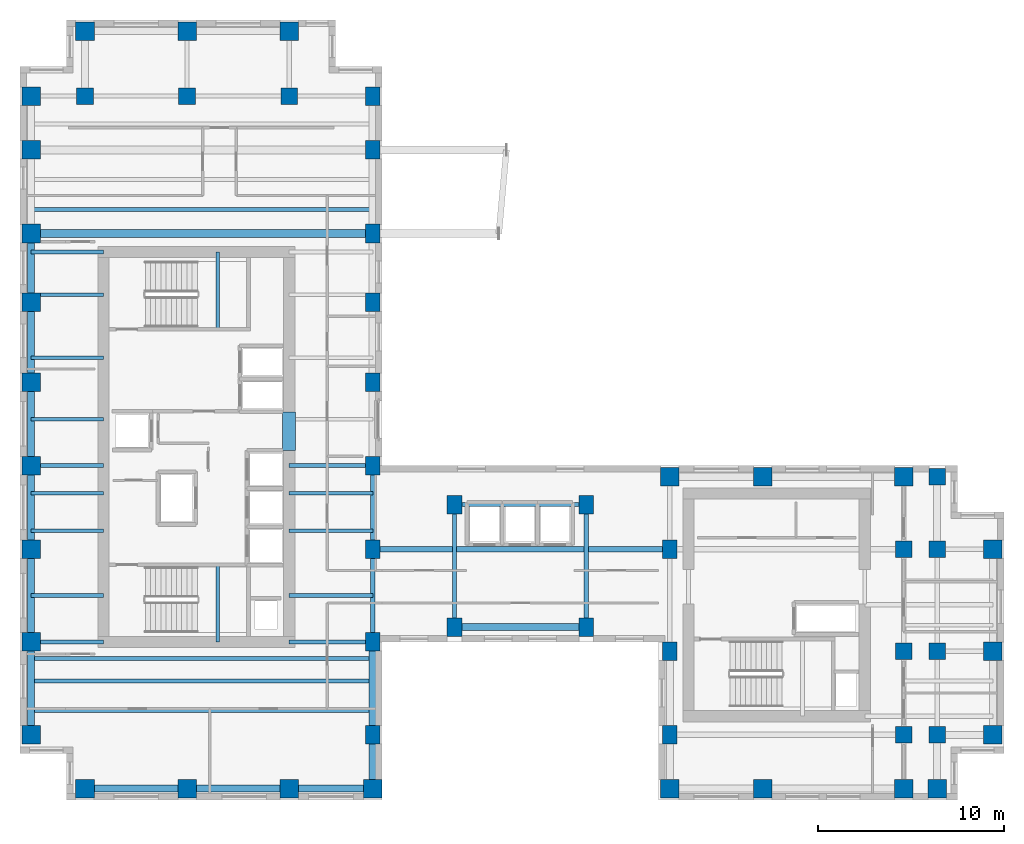
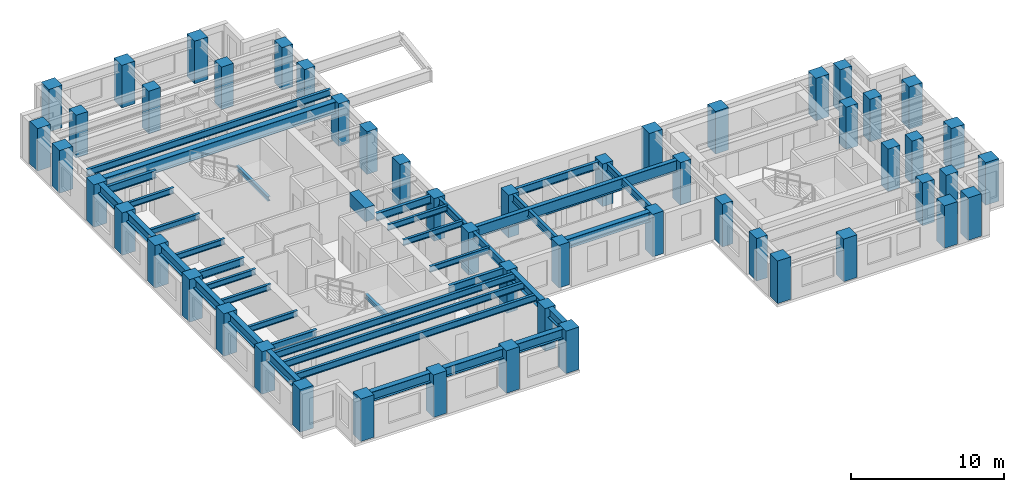
# One storey, part 1 of 13: 52 columns, 40 beams.
"""IFC4 building model written with IfcOpenShell, lengths in metres."""

import ifcopenshell
import ifcopenshell.guid

model = None  # the IFC model being written
_history = None  # IfcOwnerHistory: only IFC2X3 demands one
_inside = {}  # id of a spatial element -> (the spatial element, [elements in it])
_under = {}  # id of a project, library or spatial element -> (it, [spatial elements below it])
_declared = {}  # id of a project -> (the project, [libraries it declares])
_typed = {}  # id of a type object -> (the type object, [elements of that type])
_made_of = {}  # id of a material, layer set ... -> (it, [elements and type objects made of it])


def new_model(schema):
    """Start an empty IFC model of exactly this schema.

    Asked for "IFC4X3", IfcOpenShell would pick the latest addendum, in which some entities
    have other attributes; the version numbers below select the first issue.
    IFC2X3 requires an IfcOwnerHistory on every rooted entity: one is made here for all.
    """
    global model, _history
    if schema == "IFC4X3":
        model = ifcopenshell.file(schema_version=(4, 3, 0, 0))
    else:
        model = ifcopenshell.file(schema=schema)
    _inside.clear()
    _under.clear()
    _declared.clear()
    _typed.clear()
    _made_of.clear()
    _history = None
    if model.schema == "IFC2X3":
        org = make("IfcOrganization", Name="unknown")
        user = make(
            "IfcPersonAndOrganization",
            ThePerson=make("IfcPerson", FamilyName="unknown"),
            TheOrganization=org,
        )
        app = make(
            "IfcApplication",
            ApplicationDeveloper=org,
            Version="unknown",
            ApplicationFullName="unknown",
            ApplicationIdentifier="unknown",
        )
        _history = make(
            "IfcOwnerHistory",
            OwningUser=user,
            OwningApplication=app,
            ChangeAction="ADDED",
            CreationDate=0,
        )
    return model


def make(cls, **values):
    """One entity of the class cls with the attributes given. An attribute that is None is left unset."""
    return model.create_entity(
        cls, **{name: value for name, value in values.items() if value is not None}
    )


def rooted(cls, **values):
    """An entity with a GlobalId (a new one), such as an element, a storey or a relation."""
    return make(cls, GlobalId=ifcopenshell.guid.new(), OwnerHistory=_history, **values)


def si_unit(unit_type, name, prefix=None):
    """IfcSIUnit, for example si_unit("LENGTHUNIT", "METRE", prefix="MILLI")."""
    return make("IfcSIUnit", UnitType=unit_type, Prefix=prefix, Name=name)


def assignment(units):
    """IfcUnitAssignment: the units of a project."""
    return None if units is None else make("IfcUnitAssignment", Units=units)


def point(xyz):
    """IfcCartesianPoint."""
    return None if xyz is None else make("IfcCartesianPoint", Coordinates=xyz)


def direction(xyz):
    """IfcDirection."""
    return None if xyz is None else make("IfcDirection", DirectionRatios=xyz)


def frame(location, z_axis=None, x_axis=None):
    """IfcAxis2Placement3D, a coordinate frame: its origin and axes. An axis left out is left unset."""
    return make(
        "IfcAxis2Placement3D",
        Location=point(location),
        Axis=direction(z_axis),
        RefDirection=direction(x_axis),
    )


def frame_2d(location, x_axis=None):
    """IfcAxis2Placement2D, a coordinate frame in the plane: its origin and x axis."""
    return make(
        "IfcAxis2Placement2D", Location=point(location), RefDirection=direction(x_axis)
    )


def origin():
    """The frame at (0, 0, 0) with its axes left unset."""
    return frame((0.0, 0.0, 0.0))


def origin_2d():
    """The frame at (0, 0) in the plane with its x axis left unset."""
    return frame_2d((0.0, 0.0))


def place(relative_to, where):
    """IfcLocalPlacement: puts the frame where relative to a parent placement (None: the world)."""
    return make(
        "IfcLocalPlacement", PlacementRelTo=relative_to, RelativePlacement=where
    )


def context(
    kind, dimensions, precision=None, world=None, true_north=None, identifier=None
):
    """IfcGeometricRepresentationContext, for example the 3D "Model" context."""
    return make(
        "IfcGeometricRepresentationContext",
        ContextIdentifier=identifier,
        ContextType=kind,
        CoordinateSpaceDimension=dimensions,
        Precision=precision,
        WorldCoordinateSystem=world,
        TrueNorth=true_north,
    )


def subcontext(parent, identifier, kind, view, scale=None):
    """IfcGeometricRepresentationSubContext, for example "Body" below "Model"."""
    return make(
        "IfcGeometricRepresentationSubContext",
        ContextIdentifier=identifier,
        ContextType=kind,
        ParentContext=parent,
        TargetScale=scale,
        TargetView=view,
    )


def project(units=None, contexts=None):
    """IfcProject with its units and contexts."""
    return rooted(
        "IfcProject",
        Name="project",
        RepresentationContexts=contexts,
        UnitsInContext=assignment(units),
    )


def spatial(cls, under=None, at=None, **own):
    """A site, building, storey or space (cls), placed at a placement, below another one or the project."""
    s = rooted(cls, ObjectPlacement=at, **own)
    if under is not None:
        _under.setdefault(under.id(), (under, []))[1].append(s)
    return s


def profile(cls, at=None, kind="AREA", **sizes):
    """A parametric profile (cls). Its sizes go by their IFC names, for example OverallWidth=200.0."""
    return make(cls, ProfileType=kind, Position=at, **sizes)


def rectangle(**sizes):
    """IfcRectangleProfileDef."""
    return profile("IfcRectangleProfileDef", **sizes)


def i_section(**sizes):
    """IfcIShapeProfileDef."""
    return profile("IfcIShapeProfileDef", **sizes)


def extrude(swept, where, along, depth):
    """IfcExtrudedAreaSolid: the profile swept, set in the frame where, extruded along a direction by depth."""
    return make(
        "IfcExtrudedAreaSolid",
        SweptArea=swept,
        Position=where,
        ExtrudedDirection=direction(along),
        Depth=depth,
    )


def shape(context_of_items, identifier, shape_type, items):
    """IfcShapeRepresentation: the items that make up one representation, for example the "Body"."""
    return make(
        "IfcShapeRepresentation",
        ContextOfItems=context_of_items,
        RepresentationIdentifier=identifier,
        RepresentationType=shape_type,
        Items=items,
    )


def source(mapping_origin, context_of_items, identifier, shape_type, items):
    """IfcRepresentationMap: a shape defined once, which mapped items show again and again."""
    return make(
        "IfcRepresentationMap",
        MappingOrigin=mapping_origin,
        MappedRepresentation=shape(context_of_items, identifier, shape_type, items),
    )


def transform(
    local_origin,
    x_axis=None,
    y_axis=None,
    z_axis=None,
    scale=None,
    scale2=None,
    scale3=None,
    uniform=True,
):
    """IfcCartesianTransformationOperator3D, or its non-uniform kind. x_axis, y_axis, z_axis: its Axis1, 2, 3."""
    if uniform:
        return make(
            "IfcCartesianTransformationOperator3D",
            Axis1=direction(x_axis),
            Axis2=direction(y_axis),
            LocalOrigin=point(local_origin),
            Scale=scale,
            Axis3=direction(z_axis),
        )
    return make(
        "IfcCartesianTransformationOperator3DnonUniform",
        Axis1=direction(x_axis),
        Axis2=direction(y_axis),
        LocalOrigin=point(local_origin),
        Scale=scale,
        Axis3=direction(z_axis),
        Scale2=scale2,
        Scale3=scale3,
    )


def mapped(mapping_source, mapping_target):
    """IfcMappedItem: shows the shape of a source again, moved by a transform."""
    return make(
        "IfcMappedItem", MappingSource=mapping_source, MappingTarget=mapping_target
    )


def material(Name=None, Category=None):
    """IfcMaterial."""
    return make("IfcMaterial", Name=Name, Category=Category)


def material_profile(
    of_material, cross_section, Name=None, Category=None, Priority=None
):
    """IfcMaterialProfile: a cross section and its material."""
    return make(
        "IfcMaterialProfile",
        Name=Name,
        Material=of_material,
        Profile=cross_section,
        Priority=Priority,
        Category=Category,
    )


def profile_set(profiles, Name=None, composite=None):
    """IfcMaterialProfileSet."""
    return make(
        "IfcMaterialProfileSet",
        Name=Name,
        MaterialProfiles=profiles,
        CompositeProfile=composite,
    )


def made_of(thing, what):
    """Note that an element or type object is made of a material, layer set ...; save() writes the relation."""
    if what is not None:
        _made_of.setdefault(what.id(), (what, []))[1].append(thing)
    return thing


def type_object(cls, material=None, **own):
    """A type object (cls), such as IfcWallType, which elements share."""
    return made_of(rooted(cls, **own), material)


def element(
    cls,
    number,
    at=None,
    inside=None,
    cuts=None,
    type_object=None,
    material=None,
    context=None,
    identifier="Body",
    shape_type=None,
    held_by="IfcProductDefinitionShape",
    body=None,
    shapes=None,
    **own,
):
    """One element of the class cls, such as IfcWall. Its Tag is "e" and its number.

    at: its placement. inside: the storey or other place that contains it. cuts: it is an
    opening in that element (IfcRelVoidsElement). A single representation is given by context,
    identifier, shape_type and body (its items); several are given by shapes. held_by: the class
    of the entity that holds the representations. save() writes the other relations.
    """
    e = rooted(cls, Tag="e%d" % number, ObjectPlacement=at, **own)
    if body is not None:
        shapes = [shape(context, identifier, shape_type, body)]
    if shapes is not None:
        e.Representation = make(held_by, Representations=shapes)
    if inside is not None:
        _inside.setdefault(inside.id(), (inside, []))[1].append(e)
    if cuts is not None:
        rooted(
            "IfcRelVoidsElement", RelatingBuildingElement=cuts, RelatedOpeningElement=e
        )
    if type_object is not None:
        _typed.setdefault(type_object.id(), (type_object, []))[1].append(e)
    return made_of(e, material)


def aggregate(whole, parts):
    """IfcRelAggregates: a whole, such as a stair, and the parts it consists of."""
    return rooted("IfcRelAggregates", RelatingObject=whole, RelatedObjects=parts)


def save(model, path):
    """Write the relations noted so far, then the file.

    IfcRelAggregates (storeys below a building ...), IfcRelContainedInSpatialStructure (elements
    in a storey), IfcRelDefinesByType, IfcRelAssociatesMaterial and IfcRelDeclares: one each for
    every whole, place, type object, material and project.
    """
    for whole, parts in _under.values():
        aggregate(whole, parts)
    for where, things in _inside.values():
        rooted(
            "IfcRelContainedInSpatialStructure",
            RelatedElements=things,
            RelatingStructure=where,
        )
    for kind, things in _typed.values():
        rooted("IfcRelDefinesByType", RelatedObjects=things, RelatingType=kind)
    for what, things in _made_of.values():
        rooted("IfcRelAssociatesMaterial", RelatedObjects=things, RelatingMaterial=what)
    for by, libraries in _declared.values():
        rooted("IfcRelDeclares", RelatingContext=by, RelatedDefinitions=libraries)
    model.write(path)


model = new_model("IFC4")

# Units and contexts
model_context = context("Model", 3, precision=1e-05, world=origin(), true_north=direction((0.0, 1.0)))
body_context = subcontext(model_context, "Body", "Model", "MODEL_VIEW")
ifc_project = project(units=[si_unit("LENGTHUNIT", "METRE"), si_unit("AREAUNIT", "SQUARE_METRE"), si_unit("VOLUMEUNIT", "CUBIC_METRE"), si_unit("PLANEANGLEUNIT", "RADIAN"), si_unit("MASSUNIT", "GRAM", prefix="KILO")], contexts=[model_context])

# Site, building, storey
site_placement = place(None, origin())
site = spatial("IfcSite", under=ifc_project, at=site_placement, CompositionType="ELEMENT")
building_placement = place(site_placement, origin())
building = spatial("IfcBuilding", under=site, at=building_placement, Name="Kharzan Plaza Tower", CompositionType="ELEMENT")
storey_placement = place(building_placement, frame((0.0, 0.0, 153.89990234375)))
storey = spatial("IfcBuildingStorey", under=building, at=storey_placement, Name="L41", CompositionType="ELEMENT", Elevation=153.89990234375)

# Columns
ifc_material_1 = material(Name="Concrete C50/60", Category="concrete")
ifc_material_profile_1 = material_profile(ifc_material_1, rectangle(XDim=0.89990234375, YDim=0.89990234375, at=origin_2d()), Name="RC-IC900x900")
ifc_profile_set_1 = profile_set([ifc_material_profile_1], Name="Concrete C50/60")
column_type_1 = type_object("IfcColumnType", Name="COL-IC900", PredefinedType="COLUMN", material=ifc_profile_set_1)
shared_shape_1 = source(origin(), body_context, "Body", "SweptSolid", [
    extrude(rectangle(XDim=0.89990234375, YDim=0.89990234375, at=origin_2d()), origin(), (0.0, 0.0, 1.0), 3.400146484375),
])
for number, where, z_axis, x_axis, name in (
    (1, (47.60009765625, 13.5, 0.0), (0.0, 0.0, 1.0), (1.0, 0.0, 0.0), "L41 Structural Column TCBI-135"),
    (2, (47.60009765625, 3.5, 0.0), (0.0, 0.0, 1.0), (1.0, 0.0, 0.0), "L41 Structural Column TCBI-35"),
    (3, (47.60009765625, 8.0, 0.0), (0.0, 0.0, 1.0), (1.0, 0.0, 0.0), "L41 Structural Column TCBI-80"),
    (4, (49.39990234375, 13.5, 0.0), (0.0, 0.0, 1.0), (1.0, 0.0, 0.0), "L41 Structural Column TCE-494-135"),
    (5, (49.39990234375, 17.39990234375, 0.0), (0.0, 0.0, 1.0), (1.0, 0.0, 0.0), "L41 Structural Column TCE-494-174"),
    (6, (49.39990234375, 3.5, 0.0), (0.0, 0.0, 1.0), (1.0, 0.0, 0.0), "L41 Structural Column TCE-494-35"),
    (7, (49.39990234375, 8.0, 0.0), (0.0, 0.0, 1.0), (1.0, 0.0, 0.0), "L41 Structural Column TCE-494-80"),
    (8, (14.5, 37.89990234375, 0.0), (0.0, 0.0, 1.0), (1.0, 0.0, 0.0), "L41 Structural Column TCN-145-379"),
    (9, (3.5, 37.89990234375, 0.0), (0.0, 0.0, 1.0), (1.0, 0.0, 0.0), "L41 Structural Column TCN-35-379"),
    (10, (9.0, 37.89990234375, 0.0), (0.0, 0.0, 1.0), (1.0, 0.0, 0.0), "L41 Structural Column TCN-90-379"),
):
    element("IfcColumn", number, at=place(storey_placement, frame(where, z_axis=z_axis, x_axis=x_axis)), inside=storey, type_object=column_type_1, Name=name, PredefinedType="COLUMN", context=body_context, shape_type="MappedRepresentation", body=[
        mapped(shared_shape_1, transform((0.0, 0.0, 0.0), x_axis=(1.0, 0.0, 0.0), y_axis=(0.0, 1.0, 0.0), z_axis=(0.0, 0.0, 1.0))),
    ])
ifc_material_profile_2 = material_profile(ifc_material_1, rectangle(XDim=0.800048828125, YDim=1.0, at=origin_2d()), Name="RC-SC1000x800")
ifc_profile_set_2 = profile_set([ifc_material_profile_2], Name="Concrete C50/60")
column_type_2 = type_object("IfcColumnType", Name="COL-SC1000", PredefinedType="COLUMN", material=ifc_profile_set_2)
shared_shape_2 = source(origin(), body_context, "Body", "SweptSolid", [
    extrude(rectangle(XDim=0.800048828125, YDim=1.0, at=origin_2d()), origin(), (0.0, 0.0, 1.0), 3.400146484375),
])
for number, where, z_axis, x_axis, name in (
    (11, (19.0, 13.5, 0.0), (0.0, 0.0, 1.0), (1.0, 0.0, 0.0), "L41 Structural Column TCA-135"),
    (12, (19.0, 18.0, 0.0), (0.0, 0.0, 1.0), (1.0, 0.0, 0.0), "L41 Structural Column TCA-180"),
    (13, (19.0, 22.5, 0.0), (0.0, 0.0, 1.0), (1.0, 0.0, 0.0), "L41 Structural Column TCA-225"),
    (14, (19.0, 26.800048828125, 0.0), (0.0, 0.0, 1.0), (1.0, 0.0, 0.0), "L41 Structural Column TCA-268"),
    (15, (19.0, 30.5, 0.0), (0.0, 0.0, 1.0), (1.0, 0.0, 0.0), "L41 Structural Column TCA-305"),
    (16, (19.0, 3.5, 0.0), (0.0, 0.0, 1.0), (1.0, 0.0, 0.0), "L41 Structural Column TCA-35"),
    (17, (19.0, 35.0, 0.0), (0.0, 0.0, 1.0), (1.0, 0.0, 0.0), "L41 Structural Column TCA-350"),
    (18, (19.0, 37.89990234375, 0.0), (0.0, 0.0, 1.0), (1.0, 0.0, 0.0), "L41 Structural Column TCA-379"),
    (19, (19.0, 8.5, 0.0), (0.0, 0.0, 1.0), (1.0, 0.0, 0.0), "L41 Structural Column TCA-85"),
    (20, (35.0, 13.5, 0.0), (0.0, 0.0, 1.0), (1.0, 0.0, 0.0), "L41 Structural Column TCBS-135"),
    (21, (35.0, 3.5, 0.0), (0.0, 0.0, 1.0), (1.0, 0.0, 0.0), "L41 Structural Column TCBS-35"),
    (22, (35.0, 8.0, 0.0), (0.0, 0.0, 1.0), (1.0, 0.0, 0.0), "L41 Structural Column TCBS-80"),
    (23, (23.39990234375, 15.89990234375, 0.0), (0.0, 0.0, 1.0), (1.0, 0.0, 0.0), "L41 Structural Column TCSP-234-159"),
    (24, (23.39990234375, 9.300048828125, 0.0), (0.0, 0.0, 1.0), (1.0, 0.0, 0.0), "L41 Structural Column TCSP-234-93"),
    (25, (30.5, 15.89990234375, 0.0), (0.0, 0.0, 1.0), (1.0, 0.0, 0.0), "L41 Structural Column TCSP-305-159"),
    (26, (30.5, 9.300048828125, 0.0), (0.0, 0.0, 1.0), (1.0, 0.0, 0.0), "L41 Structural Column TCSP-305-93"),
):
    element("IfcColumn", number, at=place(storey_placement, frame(where, z_axis=z_axis, x_axis=x_axis)), inside=storey, type_object=column_type_2, Name=name, PredefinedType="COLUMN", context=body_context, shape_type="MappedRepresentation", body=[
        mapped(shared_shape_2, transform((0.0, 0.0, 0.0), x_axis=(1.0, 0.0, 0.0), y_axis=(0.0, 1.0, 0.0), z_axis=(0.0, 0.0, 1.0))),
    ])
ifc_material_profile_3 = material_profile(ifc_material_1, rectangle(XDim=1.0, YDim=1.0, at=origin_2d()), Name="RC-TC1000x1000")
ifc_profile_set_3 = profile_set([ifc_material_profile_3], Name="Concrete C50/60")
column_type_3 = type_object("IfcColumnType", Name="COL-TC1000", PredefinedType="COLUMN", material=ifc_profile_set_3)
shared_shape_3 = source(origin(), body_context, "Body", "SweptSolid", [
    extrude(rectangle(XDim=1.0, YDim=1.0, at=origin_2d()), origin(), (0.0, 0.0, 1.0), 3.400146484375),
])
for number, where, z_axis, x_axis, name in (
    (27, (35.0, 17.39990234375, 0.0), (0.0, 0.0, 1.0), (1.0, 0.0, 0.0), "L41 Structural Column TCBN-350-174"),
    (28, (40.0, 17.39990234375, 0.0), (0.0, 0.0, 1.0), (1.0, 0.0, 0.0), "L41 Structural Column TCBN-400-174"),
    (29, (47.60009765625, 17.39990234375, 0.0), (0.0, 0.0, 1.0), (1.0, 0.0, 0.0), "L41 Structural Column TCBN-476-174"),
    (30, (52.39990234375, 13.5, 0.0), (0.0, 0.0, 1.0), (1.0, 0.0, 0.0), "L41 Structural Column TCE-524-135"),
    (31, (52.39990234375, 3.5, 0.0), (0.0, 0.0, 1.0), (1.0, 0.0, 0.0), "L41 Structural Column TCE-524-35"),
    (32, (52.39990234375, 8.0, 0.0), (0.0, 0.0, 1.0), (1.0, 0.0, 0.0), "L41 Structural Column TCE-524-80"),
    (33, (14.5, 41.39990234375, 0.0), (0.0, 0.0, 1.0), (1.0, 0.0, 0.0), "L41 Structural Column TCN-145-414"),
    (34, (3.5, 41.39990234375, 0.0), (0.0, 0.0, 1.0), (1.0, 0.0, 0.0), "L41 Structural Column TCN-35-414"),
    (35, (9.0, 41.39990234375, 0.0), (0.0, 0.0, 1.0), (1.0, 0.0, 0.0), "L41 Structural Column TCN-90-414"),
    (36, (14.5, 0.60009765625, 0.0), (0.0, 0.0, 1.0), (1.0, 0.0, 0.0), "L41 Structural Column TCS-145"),
    (37, (19.0, 0.60009765625, 0.0), (0.0, 0.0, 1.0), (1.0, 0.0, 0.0), "L41 Structural Column TCS-190"),
    (38, (3.5, 0.60009765625, 0.0), (0.0, 0.0, 1.0), (1.0, 0.0, 0.0), "L41 Structural Column TCS-35"),
    (39, (35.0, 0.60009765625, 0.0), (0.0, 0.0, 1.0), (1.0, 0.0, 0.0), "L41 Structural Column TCS-350"),
    (40, (40.0, 0.60009765625, 0.0), (0.0, 0.0, 1.0), (1.0, 0.0, 0.0), "L41 Structural Column TCS-400"),
    (41, (47.60009765625, 0.60009765625, 0.0), (0.0, 0.0, 1.0), (1.0, 0.0, 0.0), "L41 Structural Column TCS-476"),
    (42, (49.39990234375, 0.60009765625, 0.0), (0.0, 0.0, 1.0), (1.0, 0.0, 0.0), "L41 Structural Column TCS-494"),
    (43, (9.0, 0.60009765625, 0.0), (0.0, 0.0, 1.0), (1.0, 0.0, 0.0), "L41 Structural Column TCS-90"),
    (44, (0.60009765625, 13.5, 0.0), (0.0, 0.0, 1.0), (1.0, 0.0, 0.0), "L41 Structural Column TCW-135"),
    (45, (0.60009765625, 18.0, 0.0), (0.0, 0.0, 1.0), (1.0, 0.0, 0.0), "L41 Structural Column TCW-180"),
    (46, (0.60009765625, 22.5, 0.0), (0.0, 0.0, 1.0), (1.0, 0.0, 0.0), "L41 Structural Column TCW-225"),
    (47, (0.60009765625, 26.800048828125, 0.0), (0.0, 0.0, 1.0), (1.0, 0.0, 0.0), "L41 Structural Column TCW-268"),
    (48, (0.60009765625, 30.5, 0.0), (0.0, 0.0, 1.0), (1.0, 0.0, 0.0), "L41 Structural Column TCW-305"),
    (49, (0.60009765625, 3.5, 0.0), (0.0, 0.0, 1.0), (1.0, 0.0, 0.0), "L41 Structural Column TCW-35"),
    (50, (0.60009765625, 35.0, 0.0), (0.0, 0.0, 1.0), (1.0, 0.0, 0.0), "L41 Structural Column TCW-350"),
    (51, (0.60009765625, 37.89990234375, 0.0), (0.0, 0.0, 1.0), (1.0, 0.0, 0.0), "L41 Structural Column TCW-379"),
    (52, (0.60009765625, 8.5, 0.0), (0.0, 0.0, 1.0), (1.0, 0.0, 0.0), "L41 Structural Column TCW-85"),
):
    element("IfcColumn", number, at=place(storey_placement, frame(where, z_axis=z_axis, x_axis=x_axis)), inside=storey, type_object=column_type_3, Name=name, PredefinedType="COLUMN", context=body_context, shape_type="MappedRepresentation", body=[
        mapped(shared_shape_3, transform((0.0, 0.0, 0.0), x_axis=(1.0, 0.0, 0.0), y_axis=(0.0, 1.0, 0.0), z_axis=(0.0, 0.0, 1.0))),
    ])

# Beams
ifc_material_2 = material(Name="Concrete C60/75", Category="concrete")
ifc_material_profile_4 = material_profile(ifc_material_2, rectangle(XDim=0.699951171875, YDim=1.10009765625, at=origin_2d()), Name="RC-CB1100x700")
ifc_profile_set_4 = profile_set([ifc_material_profile_4], Name="Concrete C60/75")
beam_type_1 = type_object("IfcBeamType", Name="BM-RCCB1100", PredefinedType="LINTEL", material=ifc_profile_set_4)
shared_shape_4 = source(origin(), body_context, "Body", "SweptSolid", [
    extrude(rectangle(XDim=0.699951171875, YDim=1.10009765625, at=origin_2d()), origin(), (0.0, 0.0, 1.0), 2.059814453125),
])
beam_1_placement = place(storey_placement, frame((14.5, 18.820068359375, 2.85009765625), z_axis=(0.0, 1.0, 0.0), x_axis=(-1.0, 0.0, 0.0)))
element("IfcBeam", 53, at=beam_1_placement, inside=storey, type_object=beam_type_1, Name="L41 CORE-A RC coupling beam CB1", PredefinedType="LINTEL", context=body_context, shape_type="MappedRepresentation", body=[
    mapped(shared_shape_4, transform((0.0, 0.0, 0.0), x_axis=(1.0, 0.0, 0.0), y_axis=(0.0, 1.0, 0.0), z_axis=(0.0, 0.0, 1.0))),
])
ifc_material_3 = material(Name="Steel S355", Category="steel")
ifc_material_profile_5 = material_profile(ifc_material_3, i_section(OverallWidth=0.205078125, OverallDepth=0.35400390625, WebThickness=0.009521484375, FlangeThickness=0.016845703125, at=origin_2d()), Name="W360x79")
ifc_profile_set_5 = profile_set([ifc_material_profile_5], Name="Steel S355")
beam_type_2 = type_object("IfcBeamType", Name="BM-LNT360", PredefinedType="LINTEL", material=ifc_profile_set_5)
shared_shape_5 = source(origin(), body_context, "Body", "SweptSolid", [
    extrude(i_section(OverallWidth=0.205078125, OverallDepth=0.35400390625, WebThickness=0.009521484375, FlangeThickness=0.016845703125, at=origin_2d()), origin(), (0.0, 0.0, 1.0), 4.155029296875),
])
for number, where, z_axis, x_axis, name in (
    (54, (10.64990234375, 8.5, 1.423095703125), (0.0, 1.0, 0.0), (-1.0, 0.0, 0.0), "L41 Stair ST-1 Half-Landing Beam"),
    (55, (10.64990234375, 25.344970703125, 1.423095703125), (0.0, 1.0, 0.0), (-1.0, 0.0, 0.0), "L41 Stair ST-2 Half-Landing Beam"),
):
    element("IfcBeam", number, at=place(storey_placement, frame(where, z_axis=z_axis, x_axis=x_axis)), inside=storey, type_object=beam_type_2, Name=name, PredefinedType="LINTEL", context=body_context, shape_type="MappedRepresentation", body=[
        mapped(shared_shape_5, transform((0.0, 0.0, 0.0), x_axis=(1.0, 0.0, 0.0), y_axis=(0.0, 1.0, 0.0), z_axis=(0.0, 0.0, 1.0))),
    ])
ifc_material_profile_6 = material_profile(ifc_material_3, i_section(OverallWidth=0.304931640625, OverallDepth=0.9189453125, WebThickness=0.017333984375, FlangeThickness=0.02783203125, at=origin_2d()), Name="W920x253")
ifc_profile_set_6 = profile_set([ifc_material_profile_6], Name="Steel S355")
beam_type_3 = type_object("IfcBeamType", Name="BM-FG920B", PredefinedType="BEAM", material=ifc_profile_set_6)
shared_shape_6 = source(origin(), body_context, "Body", "SweptSolid", [
    extrude(i_section(OverallWidth=0.304931640625, OverallDepth=0.9189453125, WebThickness=0.017333984375, FlangeThickness=0.02783203125, at=origin_2d()), origin(), (0.0, 0.0, 1.0), 16.0),
])
beam_2_placement = place(storey_placement, frame((19.0, 13.5, 2.940673828125), z_axis=(1.0, 0.0, 0.0), x_axis=(0.0, 1.0, 0.0)))
element("IfcBeam", 56, at=beam_2_placement, inside=storey, type_object=beam_type_3, Name="L41 Primary Floor Girder", PredefinedType="BEAM", context=body_context, shape_type="MappedRepresentation", body=[
    mapped(shared_shape_6, transform((0.0, 0.0, 0.0), x_axis=(1.0, 0.0, 0.0), y_axis=(0.0, 1.0, 0.0), z_axis=(0.0, 0.0, 1.0))),
])
ifc_material_profile_7 = material_profile(ifc_material_3, i_section(OverallWidth=0.2099609375, OverallDepth=0.537109375, WebThickness=0.010986328125, FlangeThickness=0.017333984375, at=origin_2d()), Name="W530x101")
ifc_profile_set_7 = profile_set([ifc_material_profile_7], Name="Steel S355")
beam_type_4 = type_object("IfcBeamType", Name="BM-JST530B", PredefinedType="JOIST", material=ifc_profile_set_7)
shared_shape_7 = source(origin(), body_context, "Body", "SweptSolid", [
    extrude(i_section(OverallWidth=0.2099609375, OverallDepth=0.537109375, WebThickness=0.010986328125, FlangeThickness=0.017333984375, at=origin_2d()), origin(), (0.0, 0.0, 1.0), 18.39990234375),
])
for number, where, z_axis, x_axis, name in (
    (57, (0.60009765625, 4.800048828125, 3.131591796875), (1.0, 0.0, 0.0), (0.0, 1.0, 0.0), "L41 Wing A Composite Joist 01"),
    (58, (0.60009765625, 6.39990234375, 3.131591796875), (1.0, 0.0, 0.0), (0.0, 1.0, 0.0), "L41 Wing A Composite Joist 02"),
    (59, (0.60009765625, 7.60009765625, 3.131591796875), (1.0, 0.0, 0.0), (0.0, 1.0, 0.0), "L41 Wing A Composite Joist 03"),
    (60, (0.60009765625, 31.800048828125, 3.131591796875), (1.0, 0.0, 0.0), (0.0, 1.0, 0.0), "L41 Wing A Composite Joist 04"),
):
    element("IfcBeam", number, at=place(storey_placement, frame(where, z_axis=z_axis, x_axis=x_axis)), inside=storey, type_object=beam_type_4, Name=name, PredefinedType="JOIST", context=body_context, shape_type="MappedRepresentation", body=[
        mapped(shared_shape_7, transform((0.0, 0.0, 0.0), x_axis=(1.0, 0.0, 0.0), y_axis=(0.0, 1.0, 0.0), z_axis=(0.0, 0.0, 1.0))),
    ])
ifc_material_profile_8 = material_profile(ifc_material_3, i_section(OverallWidth=0.194091796875, OverallDepth=0.468994140625, WebThickness=0.011474609375, FlangeThickness=0.0205078125, at=origin_2d()), Name="W460x106")
ifc_profile_set_8 = profile_set([ifc_material_profile_8], Name="Steel S355")
beam_type_5 = type_object("IfcBeamType", Name="BM-JST460", PredefinedType="JOIST", material=ifc_profile_set_8)
shared_shape_8 = source(origin(), body_context, "Body", "SweptSolid", [
    extrude(i_section(OverallWidth=0.194091796875, OverallDepth=0.468994140625, WebThickness=0.011474609375, FlangeThickness=0.0205078125, at=origin_2d()), origin(), (0.0, 0.0, 1.0), 4.5),
])
for number, where, z_axis, x_axis, name in (
    (61, (14.5, 11.0, 3.16552734375), (1.0, 0.0, 0.0), (0.0, 1.0, 0.0), "L41 Wing A East Infill Joist 1"),
    (62, (14.5, 14.5, 3.16552734375), (1.0, 0.0, 0.0), (0.0, 1.0, 0.0), "L41 Wing A East Infill Joist 2"),
    (63, (14.5, 16.5, 3.16552734375), (1.0, 0.0, 0.0), (0.0, 1.0, 0.0), "L41 Wing A East Infill Joist 3"),
):
    element("IfcBeam", number, at=place(storey_placement, frame(where, z_axis=z_axis, x_axis=x_axis)), inside=storey, type_object=beam_type_5, Name=name, PredefinedType="JOIST", context=body_context, shape_type="MappedRepresentation", body=[
        mapped(shared_shape_8, transform((0.0, 0.0, 0.0), x_axis=(1.0, 0.0, 0.0), y_axis=(0.0, 1.0, 0.0), z_axis=(0.0, 0.0, 1.0))),
    ])
shared_shape_9 = source(origin(), body_context, "Body", "SweptSolid", [
    extrude(i_section(OverallWidth=0.194091796875, OverallDepth=0.468994140625, WebThickness=0.011474609375, FlangeThickness=0.0205078125, at=origin_2d()), origin(), (0.0, 0.0, 1.0), 3.89990234375),
])
for number, where, z_axis, x_axis, name in (
    (64, (0.60009765625, 11.0, 3.16552734375), (1.0, 0.0, 0.0), (0.0, 1.0, 0.0), "L41 Wing A West Infill Joist 1"),
    (65, (0.60009765625, 14.5, 3.16552734375), (1.0, 0.0, 0.0), (0.0, 1.0, 0.0), "L41 Wing A West Infill Joist 2"),
    (66, (0.60009765625, 16.5, 3.16552734375), (1.0, 0.0, 0.0), (0.0, 1.0, 0.0), "L41 Wing A West Infill Joist 3"),
    (67, (0.60009765625, 20.5, 3.16552734375), (1.0, 0.0, 0.0), (0.0, 1.0, 0.0), "L41 Wing A West Infill Joist 4"),
    (68, (0.60009765625, 23.800048828125, 3.16552734375), (1.0, 0.0, 0.0), (0.0, 1.0, 0.0), "L41 Wing A West Infill Joist 5"),
    (69, (0.60009765625, 27.199951171875, 3.16552734375), (1.0, 0.0, 0.0), (0.0, 1.0, 0.0), "L41 Wing A West Infill Joist 6"),
):
    element("IfcBeam", number, at=place(storey_placement, frame(where, z_axis=z_axis, x_axis=x_axis)), inside=storey, type_object=beam_type_5, Name=name, PredefinedType="JOIST", context=body_context, shape_type="MappedRepresentation", body=[
        mapped(shared_shape_9, transform((0.0, 0.0, 0.0), x_axis=(1.0, 0.0, 0.0), y_axis=(0.0, 1.0, 0.0), z_axis=(0.0, 0.0, 1.0))),
    ])
ifc_material_profile_9 = material_profile(ifc_material_3, i_section(OverallWidth=0.41796875, OverallDepth=0.93701171875, WebThickness=0.019287109375, FlangeThickness=0.031982421875, at=origin_2d()), Name="W920x342")
ifc_profile_set_9 = profile_set([ifc_material_profile_9], Name="Steel S355")
beam_type_6 = type_object("IfcBeamType", Name="BM-ZTB920", PredefinedType="BEAM", material=ifc_profile_set_9)
shared_shape_10 = source(origin(), body_context, "Body", "SweptSolid", [
    extrude(i_section(OverallWidth=0.41796875, OverallDepth=0.93701171875, WebThickness=0.019287109375, FlangeThickness=0.031982421875, at=origin_2d()), origin(), (0.0, 0.0, 1.0), 18.39990234375),
])
beam_3_placement = place(storey_placement, frame((0.60009765625, 30.5, 2.931640625), z_axis=(1.0, 0.0, 0.0), x_axis=(0.0, 1.0, 0.0)))
element("IfcBeam", 70, at=beam_3_placement, inside=storey, type_object=beam_type_6, Name="L41 Sky-Terrace Back-Span Girder ZTB1 (L42 G1)", PredefinedType="BEAM", context=body_context, shape_type="MappedRepresentation", body=[
    mapped(shared_shape_10, transform((0.0, 0.0, 0.0), x_axis=(1.0, 0.0, 0.0), y_axis=(0.0, 1.0, 0.0), z_axis=(0.0, 0.0, 1.0))),
])
ifc_material_profile_10 = material_profile(ifc_material_3, i_section(OverallWidth=0.22900390625, OverallDepth=0.612060546875, WebThickness=0.011962890625, FlangeThickness=0.01953125, at=origin_2d()), Name="W610x125")
ifc_profile_set_10 = profile_set([ifc_material_profile_10], Name="Steel S355")
beam_type_7 = type_object("IfcBeamType", Name="BM-FG610B", PredefinedType="BEAM", material=ifc_profile_set_10)
shared_shape_11 = source(origin(), body_context, "Body", "SweptSolid", [
    extrude(i_section(OverallWidth=0.22900390625, OverallDepth=0.612060546875, WebThickness=0.011962890625, FlangeThickness=0.01953125, at=origin_2d()), origin(), (0.0, 0.0, 1.0), 4.5),
])
for number, where, z_axis, x_axis, name in (
    (71, (14.5, 8.5, 3.093994140625), (1.0, 0.0, 0.0), (0.0, 1.0, 0.0), "L41 Core-A East Floor Girder 1"),
    (72, (14.5, 18.0, 3.093994140625), (1.0, 0.0, 0.0), (0.0, 1.0, 0.0), "L41 Core-A East Floor Girder 2"),
    (73, (19.0, 13.5, 3.093994140625), (0.0, 1.0, 0.0), (-1.0, 0.0, 0.0), "L41 Interior Frame Girder"),
):
    element("IfcBeam", number, at=place(storey_placement, frame(where, z_axis=z_axis, x_axis=x_axis)), inside=storey, type_object=beam_type_7, Name=name, PredefinedType="BEAM", context=body_context, shape_type="MappedRepresentation", body=[
        mapped(shared_shape_11, transform((0.0, 0.0, 0.0), x_axis=(1.0, 0.0, 0.0), y_axis=(0.0, 1.0, 0.0), z_axis=(0.0, 0.0, 1.0))),
    ])
shared_shape_12 = source(origin(), body_context, "Body", "SweptSolid", [
    extrude(i_section(OverallWidth=0.22900390625, OverallDepth=0.612060546875, WebThickness=0.011962890625, FlangeThickness=0.01953125, at=origin_2d()), origin(), (0.0, 0.0, 1.0), 3.89990234375),
])
for number, where, z_axis, x_axis, name in (
    (74, (0.60009765625, 8.5, 3.093994140625), (1.0, 0.0, 0.0), (0.0, 1.0, 0.0), "L41 Core-A West Floor Girder 1"),
    (75, (0.60009765625, 18.0, 3.093994140625), (1.0, 0.0, 0.0), (0.0, 1.0, 0.0), "L41 Core-A West Floor Girder 2"),
    (76, (0.60009765625, 29.5, 3.093994140625), (1.0, 0.0, 0.0), (0.0, 1.0, 0.0), "L41 Core-A West Floor Girder 3"),
):
    element("IfcBeam", number, at=place(storey_placement, frame(where, z_axis=z_axis, x_axis=x_axis)), inside=storey, type_object=beam_type_7, Name=name, PredefinedType="BEAM", context=body_context, shape_type="MappedRepresentation", body=[
        mapped(shared_shape_12, transform((0.0, 0.0, 0.0), x_axis=(1.0, 0.0, 0.0), y_axis=(0.0, 1.0, 0.0), z_axis=(0.0, 0.0, 1.0))),
    ])
shared_shape_13 = source(origin(), body_context, "Body", "SweptSolid", [
    extrude(i_section(OverallWidth=0.22900390625, OverallDepth=0.612060546875, WebThickness=0.011962890625, FlangeThickness=0.01953125, at=origin_2d()), origin(), (0.0, 0.0, 1.0), 5.0),
])
beam_4_placement = place(storey_placement, frame((19.0, 8.5, 3.093994140625), z_axis=(0.0, 1.0, 0.0), x_axis=(-1.0, 0.0, 0.0)))
element("IfcBeam", 77, at=beam_4_placement, inside=storey, type_object=beam_type_7, Name="L41 Interior Frame Girder", PredefinedType="BEAM", context=body_context, shape_type="MappedRepresentation", body=[
    mapped(shared_shape_13, transform((0.0, 0.0, 0.0), x_axis=(1.0, 0.0, 0.0), y_axis=(0.0, 1.0, 0.0), z_axis=(0.0, 0.0, 1.0))),
])
shared_shape_14 = source(origin(), body_context, "Body", "SweptSolid", [
    extrude(i_section(OverallWidth=0.22900390625, OverallDepth=0.612060546875, WebThickness=0.011962890625, FlangeThickness=0.01953125, at=origin_2d()), origin(), (0.0, 0.0, 1.0), 6.599853515625),
])
for number, where, z_axis, x_axis, name in (
    (78, (23.39990234375, 9.300048828125, 3.093994140625), (0.0, 1.0, 0.0), (-1.0, 0.0, 0.0), "L41 Interior Frame Girder"),
    (79, (30.5, 9.300048828125, 3.093994140625), (0.0, 1.0, 0.0), (-1.0, 0.0, 0.0), "L41 Interior Frame Girder"),
):
    element("IfcBeam", number, at=place(storey_placement, frame(where, z_axis=z_axis, x_axis=x_axis)), inside=storey, type_object=beam_type_7, Name=name, PredefinedType="BEAM", context=body_context, shape_type="MappedRepresentation", body=[
        mapped(shared_shape_14, transform((0.0, 0.0, 0.0), x_axis=(1.0, 0.0, 0.0), y_axis=(0.0, 1.0, 0.0), z_axis=(0.0, 0.0, 1.0))),
    ])
shared_shape_15 = source(origin(), body_context, "Body", "SweptSolid", [
    extrude(i_section(OverallWidth=0.22900390625, OverallDepth=0.612060546875, WebThickness=0.011962890625, FlangeThickness=0.01953125, at=origin_2d()), origin(), (0.0, 0.0, 1.0), 7.10009765625),
])
beam_5_placement = place(storey_placement, frame((23.39990234375, 15.89990234375, 3.093994140625), z_axis=(1.0, 0.0, 0.0), x_axis=(0.0, 1.0, 0.0)))
element("IfcBeam", 80, at=beam_5_placement, inside=storey, type_object=beam_type_7, Name="L41 Primary Floor Girder", PredefinedType="BEAM", context=body_context, shape_type="MappedRepresentation", body=[
    mapped(shared_shape_15, transform((0.0, 0.0, 0.0), x_axis=(1.0, 0.0, 0.0), y_axis=(0.0, 1.0, 0.0), z_axis=(0.0, 0.0, 1.0))),
])
ifc_material_profile_11 = material_profile(ifc_material_3, i_section(OverallWidth=0.381103515625, OverallDepth=0.77294921875, WebThickness=0.0166015625, FlangeThickness=0.027587890625, at=origin_2d()), Name="W760x257")
ifc_profile_set_11 = profile_set([ifc_material_profile_11], Name="Steel S355")
beam_type_8 = type_object("IfcBeamType", Name="BM-SP760A", PredefinedType="SPANDREL", material=ifc_profile_set_11)
shared_shape_16 = source(origin(), body_context, "Body", "SweptSolid", [
    extrude(i_section(OverallWidth=0.381103515625, OverallDepth=0.77294921875, WebThickness=0.0166015625, FlangeThickness=0.027587890625, at=origin_2d()), origin(), (0.0, 0.0, 1.0), 5.0),
])
for number, where, z_axis, x_axis, name in (
    (81, (0.60009765625, 3.5, 3.013671875), (0.0, 1.0, 0.0), (-1.0, 0.0, 0.0), "L41 Perimeter Tube Spandrel"),
    (82, (0.60009765625, 8.5, 3.013671875), (0.0, 1.0, 0.0), (-1.0, 0.0, 0.0), "L41 Perimeter Tube Spandrel"),
    (83, (19.0, 3.5, 3.013671875), (0.0, 1.0, 0.0), (-1.0, 0.0, 0.0), "L41 Perimeter Tube Spandrel"),
):
    element("IfcBeam", number, at=place(storey_placement, frame(where, z_axis=z_axis, x_axis=x_axis)), inside=storey, type_object=beam_type_8, Name=name, PredefinedType="SPANDREL", context=body_context, shape_type="MappedRepresentation", body=[
        mapped(shared_shape_16, transform((0.0, 0.0, 0.0), x_axis=(1.0, 0.0, 0.0), y_axis=(0.0, 1.0, 0.0), z_axis=(0.0, 0.0, 1.0))),
    ])
shared_shape_17 = source(origin(), body_context, "Body", "SweptSolid", [
    extrude(i_section(OverallWidth=0.381103515625, OverallDepth=0.77294921875, WebThickness=0.0166015625, FlangeThickness=0.027587890625, at=origin_2d()), origin(), (0.0, 0.0, 1.0), 4.5),
])
for number, where, z_axis, x_axis, name in (
    (84, (0.60009765625, 13.5, 3.013671875), (0.0, 1.0, 0.0), (-1.0, 0.0, 0.0), "L41 Perimeter Tube Spandrel"),
    (85, (0.60009765625, 18.0, 3.013671875), (0.0, 1.0, 0.0), (-1.0, 0.0, 0.0), "L41 Perimeter Tube Spandrel"),
    (86, (14.5, 0.60009765625, 3.013671875), (1.0, 0.0, 0.0), (0.0, 1.0, 0.0), "L41 Perimeter Tube Spandrel"),
):
    element("IfcBeam", number, at=place(storey_placement, frame(where, z_axis=z_axis, x_axis=x_axis)), inside=storey, type_object=beam_type_8, Name=name, PredefinedType="SPANDREL", context=body_context, shape_type="MappedRepresentation", body=[
        mapped(shared_shape_17, transform((0.0, 0.0, 0.0), x_axis=(1.0, 0.0, 0.0), y_axis=(0.0, 1.0, 0.0), z_axis=(0.0, 0.0, 1.0))),
    ])
shared_shape_18 = source(origin(), body_context, "Body", "SweptSolid", [
    extrude(i_section(OverallWidth=0.381103515625, OverallDepth=0.77294921875, WebThickness=0.0166015625, FlangeThickness=0.027587890625, at=origin_2d()), origin(), (0.0, 0.0, 1.0), 4.300048828125),
])
beam_6_placement = place(storey_placement, frame((0.60009765625, 22.5, 3.013671875), z_axis=(0.0, 1.0, 0.0), x_axis=(-1.0, 0.0, 0.0)))
element("IfcBeam", 87, at=beam_6_placement, inside=storey, type_object=beam_type_8, Name="L41 Perimeter Tube Spandrel", PredefinedType="SPANDREL", context=body_context, shape_type="MappedRepresentation", body=[
    mapped(shared_shape_18, transform((0.0, 0.0, 0.0), x_axis=(1.0, 0.0, 0.0), y_axis=(0.0, 1.0, 0.0), z_axis=(0.0, 0.0, 1.0))),
])
shared_shape_19 = source(origin(), body_context, "Body", "SweptSolid", [
    extrude(i_section(OverallWidth=0.381103515625, OverallDepth=0.77294921875, WebThickness=0.0166015625, FlangeThickness=0.027587890625, at=origin_2d()), origin(), (0.0, 0.0, 1.0), 3.699951171875),
])
beam_7_placement = place(storey_placement, frame((0.60009765625, 26.800048828125, 3.013671875), z_axis=(0.0, 1.0, 0.0), x_axis=(-1.0, 0.0, 0.0)))
element("IfcBeam", 88, at=beam_7_placement, inside=storey, type_object=beam_type_8, Name="L41 Perimeter Tube Spandrel", PredefinedType="SPANDREL", context=body_context, shape_type="MappedRepresentation", body=[
    mapped(shared_shape_19, transform((0.0, 0.0, 0.0), x_axis=(1.0, 0.0, 0.0), y_axis=(0.0, 1.0, 0.0), z_axis=(0.0, 0.0, 1.0))),
])
shared_shape_20 = source(origin(), body_context, "Body", "SweptSolid", [
    extrude(i_section(OverallWidth=0.381103515625, OverallDepth=0.77294921875, WebThickness=0.0166015625, FlangeThickness=0.027587890625, at=origin_2d()), origin(), (0.0, 0.0, 1.0), 2.89990234375),
])
beam_8_placement = place(storey_placement, frame((19.0, 0.60009765625, 3.013671875), z_axis=(0.0, 1.0, 0.0), x_axis=(-1.0, 0.0, 0.0)))
element("IfcBeam", 89, at=beam_8_placement, inside=storey, type_object=beam_type_8, Name="L41 Perimeter Tube Spandrel", PredefinedType="SPANDREL", context=body_context, shape_type="MappedRepresentation", body=[
    mapped(shared_shape_20, transform((0.0, 0.0, 0.0), x_axis=(1.0, 0.0, 0.0), y_axis=(0.0, 1.0, 0.0), z_axis=(0.0, 0.0, 1.0))),
])
shared_shape_21 = source(origin(), body_context, "Body", "SweptSolid", [
    extrude(i_section(OverallWidth=0.381103515625, OverallDepth=0.77294921875, WebThickness=0.0166015625, FlangeThickness=0.027587890625, at=origin_2d()), origin(), (0.0, 0.0, 1.0), 5.5),
])
for number, where, z_axis, x_axis, name in (
    (90, (3.5, 0.60009765625, 3.013671875), (1.0, 0.0, 0.0), (0.0, 1.0, 0.0), "L41 Perimeter Tube Spandrel"),
    (91, (9.0, 0.60009765625, 3.013671875), (1.0, 0.0, 0.0), (0.0, 1.0, 0.0), "L41 Perimeter Tube Spandrel"),
):
    element("IfcBeam", number, at=place(storey_placement, frame(where, z_axis=z_axis, x_axis=x_axis)), inside=storey, type_object=beam_type_8, Name=name, PredefinedType="SPANDREL", context=body_context, shape_type="MappedRepresentation", body=[
        mapped(shared_shape_21, transform((0.0, 0.0, 0.0), x_axis=(1.0, 0.0, 0.0), y_axis=(0.0, 1.0, 0.0), z_axis=(0.0, 0.0, 1.0))),
    ])
shared_shape_22 = source(origin(), body_context, "Body", "SweptSolid", [
    extrude(i_section(OverallWidth=0.381103515625, OverallDepth=0.77294921875, WebThickness=0.0166015625, FlangeThickness=0.027587890625, at=origin_2d()), origin(), (0.0, 0.0, 1.0), 7.10009765625),
])
beam_9_placement = place(storey_placement, frame((23.39990234375, 9.300048828125, 3.013671875), z_axis=(1.0, 0.0, 0.0), x_axis=(0.0, 1.0, 0.0)))
element("IfcBeam", 92, at=beam_9_placement, inside=storey, type_object=beam_type_8, Name="L41 Perimeter Tube Spandrel", PredefinedType="SPANDREL", context=body_context, shape_type="MappedRepresentation", body=[
    mapped(shared_shape_22, transform((0.0, 0.0, 0.0), x_axis=(1.0, 0.0, 0.0), y_axis=(0.0, 1.0, 0.0), z_axis=(0.0, 0.0, 1.0))),
])

save(model, "model.ifc")
